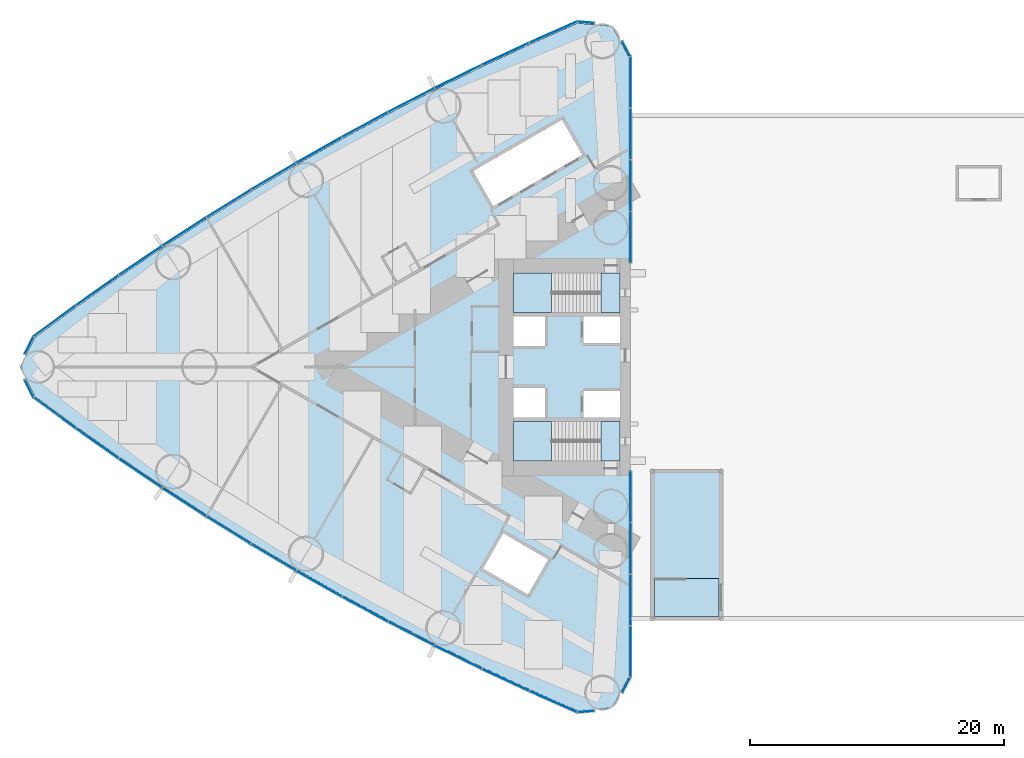
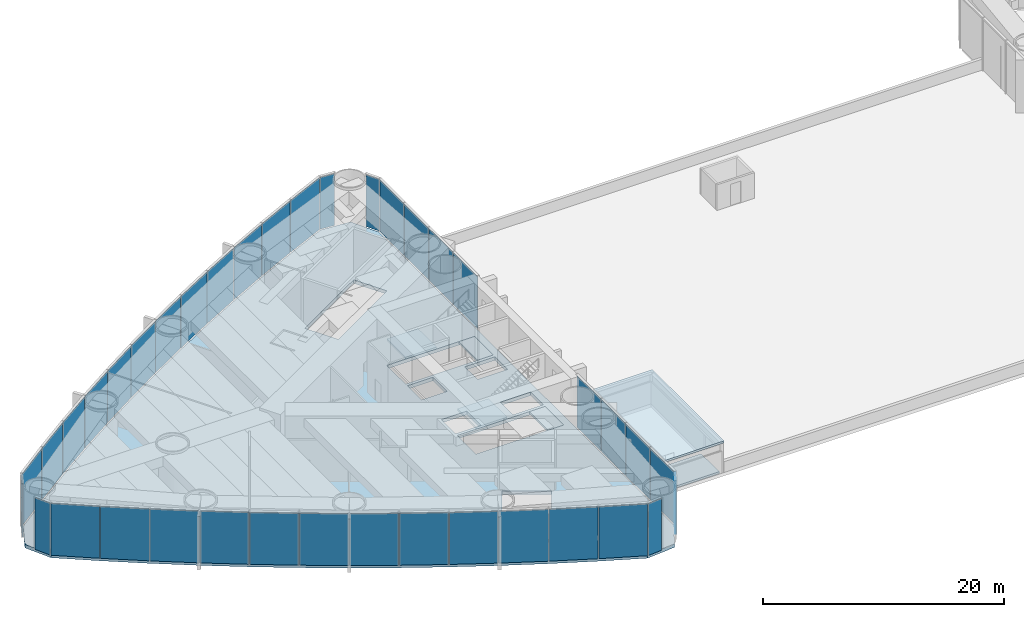
# One storey, part 14 of 23: 38 plates, 7 slabs, 6 elements without a shape of their own.
"""IFC4 building model written with IfcOpenShell, lengths in metres."""

from ifc_helpers import new_model, si_unit, direction, frame, origin, origin_2d, place, context, subcontext, project, spatial, polyline, rectangle, outline, extrude, material, layer, layer_set, type_object, element, aggregate, save


model = new_model("IFC4")

# Units and contexts
model_context = context("Model", 3, precision=1e-05, world=origin(), true_north=direction((0.0, 1.0)))
body_context = subcontext(model_context, "Body", "Model", "MODEL_VIEW")
ifc_project = project(units=[si_unit("LENGTHUNIT", "METRE"), si_unit("AREAUNIT", "SQUARE_METRE"), si_unit("VOLUMEUNIT", "CUBIC_METRE"), si_unit("PLANEANGLEUNIT", "RADIAN"), si_unit("MASSUNIT", "GRAM", prefix="KILO")], contexts=[model_context])

# Site, building, storey
site_placement = place(None, origin())
site = spatial("IfcSite", under=ifc_project, at=site_placement, CompositionType="ELEMENT")
building_placement = place(site_placement, origin())
building = spatial("IfcBuilding", under=site, at=building_placement, Name="Lancet Gate Hotel", CompositionType="ELEMENT")
storey_placement = place(building_placement, frame((0.0, 0.0, 12.60009765625)))
storey = spatial("IfcBuildingStorey", under=building, at=storey_placement, Name="L02", CompositionType="ELEMENT", Elevation=12.60009765625)

# Slabs
ifc_material_1 = material(Name="Concrete C50/60", Category="concrete")
ifc_layer_1 = layer(ifc_material_1, 0.35009765625)
ifc_layer_set_1 = layer_set([ifc_layer_1], Name="Floor slab 350")
slab_type_1 = type_object("IfcSlabType", Name="Floor slab 350", PredefinedType="FLOOR", material=ifc_layer_set_1)
slab_1_placement = place(storey_placement, frame((0.0, 0.0, -0.35009765625)))
element("IfcSlab", 1, at=slab_1_placement, inside=storey, type_object=slab_type_1, Name="T1 L02 floor slab", PredefinedType="FLOOR", context=body_context, shape_type="SweptSolid", body=[
    extrude(outline(polyline([(-27.6201171875, -24.4609375), (-27.6201171875, 24.4609375), (-28.926513671875, 26.8837890625), (-31.668212890625, 27.12353515625), (-35.424072265625, 25.458740234375), (-39.173583984375, 23.70849609375), (-42.887939453125, 21.884765625), (-46.56591796875, 19.98876953125), (-50.2060546875, 18.02099609375), (-53.806884765625, 15.982421875), (-57.366943359375, 13.87353515625), (-60.88525390625, 11.695068359375), (-64.360107421875, 9.448486328125), (-67.7900390625, 7.134033203125), (-71.17431640625, 4.752685546875), (-74.488525390625, 2.322021484375), (-75.65087890625, 0.0), (-74.488525390625, -2.322021484375), (-71.17431640625, -4.752685546875), (-67.7900390625, -7.134033203125), (-64.360107421875, -9.448486328125), (-60.88525390625, -11.695068359375), (-57.366943359375, -13.87353515625), (-53.806884765625, -15.982421875), (-50.2060546875, -18.02099609375), (-46.56591796875, -19.98876953125), (-42.887939453125, -21.884765625), (-39.173583984375, -23.70849609375), (-35.424072265625, -25.458740234375), (-31.668212890625, -27.12353515625), (-28.926513671875, -26.8837890625), (-27.6201171875, -24.4609375)]), holes=[polyline([(-36.699951171875, 7.39990234375), (-36.699951171875, 4.300048828125), (-28.300048828125, 4.300048828125), (-28.300048828125, 7.39990234375), (-36.699951171875, 7.39990234375)]), polyline([(-28.300048828125, 4.0), (-31.199951171875, 4.0), (-31.199951171875, 1.89990234375), (-28.300048828125, 1.89990234375), (-28.300048828125, 4.0)]), polyline([(-34.25, 4.0), (-36.699951171875, 4.0), (-36.699951171875, 1.64990234375), (-34.25, 1.64990234375), (-34.25, 4.0)]), polyline([(-36.699951171875, -1.64990234375), (-36.699951171875, -4.0), (-34.25, -4.0), (-34.25, -1.64990234375), (-36.699951171875, -1.64990234375)]), polyline([(-28.300048828125, -1.89990234375), (-31.199951171875, -1.89990234375), (-31.199951171875, -4.0), (-28.300048828125, -4.0), (-28.300048828125, -1.89990234375)]), polyline([(-28.300048828125, -4.300048828125), (-36.699951171875, -4.300048828125), (-36.699951171875, -7.39990234375), (-28.300048828125, -7.39990234375), (-28.300048828125, -4.300048828125)]), polyline([(-31.2900390625, 16.73095703125), (-32.889892578125, 19.501953125), (-39.904052734375, 15.451904296875), (-38.303955078125, 12.680908203125), (-31.2900390625, 16.73095703125)]), polyline([(-33.97412109375, -15.180908203125), (-37.52490234375, -13.131103515625), (-39.125, -15.902099609375), (-35.573974609375, -17.951904296875), (-33.97412109375, -15.180908203125)])]), origin(), (0.0, 0.0, 1.0), 0.35009765625),
])
ifc_material_2 = material(Name="Concrete C40/50", Category="concrete")
ifc_layer_2 = layer(ifc_material_2, 0.199951171875)
ifc_layer_set_2 = layer_set([ifc_layer_2], Name="Podium stair head-house roof 200")
slab_type_2 = type_object("IfcSlabType", Name="Podium stair head-house roof 200", PredefinedType="ROOF", material=ifc_layer_set_2)
slab_2_placement = place(storey_placement, frame((0.0, 0.0, 3.0)))
element("IfcSlab", 2, at=slab_2_placement, inside=storey, type_object=slab_type_2, Name="Podium stair PS6 head-house roof", PredefinedType="ROOF", context=body_context, shape_type="SweptSolid", body=[
    extrude(outline(polyline([(-25.89990234375, -20.0), (-20.199951171875, -20.0), (-20.199951171875, -8.080078125), (-25.89990234375, -8.080078125), (-25.89990234375, -20.0)])), origin(), (0.0, 0.0, 1.0), 0.199951171875),
])

# Curtain wall, plates
ifc_material_3 = material(Name="Aluminium curtain wall", Category="aluminium")
curtain_wall_type = type_object("IfcCurtainWallType", Name="Podium curtain wall", PredefinedType="USERDEFINED", material=ifc_material_3)
curtain_wall_1_placement = place(storey_placement, origin())
curtain_wall_1 = element("IfcCurtainWall", 3, at=curtain_wall_1_placement, inside=storey, type_object=curtain_wall_type, Name="T1 L02 curtain wall 1", ObjectType="UNITISED CURTAIN WALL", PredefinedType="USERDEFINED")
ifc_material_4 = material(Name="Glass double glazed unit 10-16-10", Category="glass")
ifc_layer_3 = layer(ifc_material_4, 0.035888671875)
ifc_layer_set_3 = layer_set([ifc_layer_3], Name="Podium vision panel")
plate_type = type_object("IfcPlateType", Name="Podium vision panel", PredefinedType="CURTAIN_PANEL", material=ifc_layer_set_3)
plate_1_placement = place(storey_placement, frame((-27.5, 10.236328125, 0.0), z_axis=(0.0, 0.0, 1.0), x_axis=(0.0, 1.0, 0.0)))
plate_1 = element("IfcPlate", 4, at=plate_1_placement, type_object=plate_type, Name="T1 L02 curtain wall 1 panel 1", PredefinedType="CURTAIN_PANEL", context=body_context, shape_type="SweptSolid", body=[
    extrude(rectangle(XDim=4.0078125, YDim=0.035888671875, at=origin_2d()), origin(), (0.0, 0.0, 1.0), 5.25),
])
plate_2_placement = place(storey_placement, frame((-27.5, 14.30908203125, 0.0), z_axis=(0.0, 0.0, 1.0), x_axis=(0.0, 1.0, 0.0)))
plate_2 = element("IfcPlate", 5, at=plate_2_placement, type_object=plate_type, Name="T1 L02 curtain wall 1 panel 2", PredefinedType="CURTAIN_PANEL", context=body_context, shape_type="SweptSolid", body=[
    extrude(rectangle(XDim=4.0078125, YDim=0.035888671875, at=origin_2d()), origin(), (0.0, 0.0, 1.0), 5.25),
])
plate_3_placement = place(storey_placement, frame((-27.5, 18.382080078125, 0.0), z_axis=(0.0, 0.0, 1.0), x_axis=(0.0, 1.0, 0.0)))
plate_3 = element("IfcPlate", 6, at=plate_3_placement, type_object=plate_type, Name="T1 L02 curtain wall 1 panel 3", PredefinedType="CURTAIN_PANEL", context=body_context, shape_type="SweptSolid", body=[
    extrude(rectangle(XDim=4.0078125, YDim=0.035888671875, at=origin_2d()), origin(), (0.0, 0.0, 1.0), 5.25),
])
plate_4_placement = place(storey_placement, frame((-27.5, 22.454833984375, 0.0), z_axis=(0.0, 0.0, 1.0), x_axis=(0.0, 1.0, 0.0)))
plate_4 = element("IfcPlate", 7, at=plate_4_placement, type_object=plate_type, Name="T1 L02 curtain wall 1 panel 4", PredefinedType="CURTAIN_PANEL", context=body_context, shape_type="SweptSolid", body=[
    extrude(rectangle(XDim=4.0078125, YDim=0.035888671875, at=origin_2d()), origin(), (0.0, 0.0, 1.0), 5.25),
])
plate_5_placement = place(storey_placement, frame((-27.829345703125, 25.10205078125, 0.0), z_axis=(0.0, 0.0, 1.0), x_axis=(-0.474631040972, 0.880184852714, 0.0)))
plate_5 = element("IfcPlate", 8, at=plate_5_placement, type_object=plate_type, Name="T1 L02 curtain wall 1 panel 5", PredefinedType="CURTAIN_PANEL", context=body_context, shape_type="SweptSolid", body=[
    extrude(rectangle(XDim=1.322998046875, YDim=0.035888671875, at=origin_2d()), origin(), (0.0, 0.0, 1.0), 5.25),
])
aggregate(curtain_wall_1, [plate_1, plate_2, plate_3, plate_4, plate_5])

curtain_wall_2_placement = place(storey_placement, origin())
curtain_wall_2 = element("IfcCurtainWall", 9, at=curtain_wall_2_placement, inside=storey, type_object=curtain_wall_type, Name="T1 L02 curtain wall 2", ObjectType="UNITISED CURTAIN WALL", PredefinedType="USERDEFINED")
plate_6_placement = place(storey_placement, frame((-30.99658203125, 27.185302734375, 0.0), z_axis=(0.0, 0.0, 1.0), x_axis=(-0.99620380374, 0.087051602022, 0.0)))
plate_6 = element("IfcPlate", 10, at=plate_6_placement, type_object=plate_type, Name="T1 L02 curtain wall 2 panel 1", PredefinedType="CURTAIN_PANEL", context=body_context, shape_type="SweptSolid", body=[
    extrude(rectangle(XDim=1.32421875, YDim=0.035888671875, at=origin_2d()), origin(), (0.0, 0.0, 1.0), 5.25),
])
plate_7_placement = place(storey_placement, frame((-33.581298828125, 26.406982421875, 0.0), z_axis=(0.0, 0.0, 1.0), x_axis=(-0.914234183208, -0.405186201954, 0.0)))
plate_7 = element("IfcPlate", 11, at=plate_7_placement, type_object=plate_type, Name="T1 L02 curtain wall 2 panel 2", PredefinedType="CURTAIN_PANEL", context=body_context, shape_type="SweptSolid", body=[
    extrude(rectangle(XDim=4.0751953125, YDim=0.035888671875, at=origin_2d()), origin(), (0.0, 0.0, 1.0), 5.25),
])
plate_8_placement = place(storey_placement, frame((-37.349609375, 24.6923828125, 0.0), z_axis=(0.0, 0.0, 1.0), x_axis=(-0.906117767284, -0.423025521467, 0.0)))
plate_8 = element("IfcPlate", 12, at=plate_8_placement, type_object=plate_type, Name="T1 L02 curtain wall 2 panel 3", PredefinedType="CURTAIN_PANEL", context=body_context, shape_type="SweptSolid", body=[
    extrude(rectangle(XDim=4.0751953125, YDim=0.035888671875, at=origin_2d()), origin(), (0.0, 0.0, 1.0), 5.25),
])
plate_9_placement = place(storey_placement, frame((-41.083740234375, 22.904296875, 0.0), z_axis=(0.0, 0.0, 1.0), x_axis=(-0.897653295642, -0.440702349463, 0.0)))
plate_9 = element("IfcPlate", 13, at=plate_9_placement, type_object=plate_type, Name="T1 L02 curtain wall 2 panel 4", PredefinedType="CURTAIN_PANEL", context=body_context, shape_type="SweptSolid", body=[
    extrude(rectangle(XDim=4.0751953125, YDim=0.035888671875, at=origin_2d()), origin(), (0.0, 0.0, 1.0), 5.25),
])
plate_10_placement = place(storey_placement, frame((-44.781982421875, 21.04345703125, 0.0), z_axis=(0.0, 0.0, 1.0), x_axis=(-0.888844019644, -0.458209895946, 0.0)))
plate_10 = element("IfcPlate", 14, at=plate_10_placement, type_object=plate_type, Name="T1 L02 curtain wall 2 panel 5", PredefinedType="CURTAIN_PANEL", context=body_context, shape_type="SweptSolid", body=[
    extrude(rectangle(XDim=4.0751953125, YDim=0.035888671875, at=origin_2d()), origin(), (0.0, 0.0, 1.0), 5.25),
])
plate_11_placement = place(storey_placement, frame((-48.443115234375, 19.110595703125, 0.0), z_axis=(0.0, 0.0, 1.0), x_axis=(-0.87969332307, -0.475541435993, 0.0)))
plate_11 = element("IfcPlate", 15, at=plate_11_placement, type_object=plate_type, Name="T1 L02 curtain wall 2 panel 6", PredefinedType="CURTAIN_PANEL", context=body_context, shape_type="SweptSolid", body=[
    extrude(rectangle(XDim=4.0751953125, YDim=0.035888671875, at=origin_2d()), origin(), (0.0, 0.0, 1.0), 5.25),
])
plate_12_placement = place(storey_placement, frame((-52.065673828125, 17.106201171875, 0.0), z_axis=(0.0, 0.0, 1.0), x_axis=(-0.870204720871, -0.492690312238, 0.0)))
plate_12 = element("IfcPlate", 16, at=plate_12_placement, type_object=plate_type, Name="T1 L02 curtain wall 2 panel 7", PredefinedType="CURTAIN_PANEL", context=body_context, shape_type="SweptSolid", body=[
    extrude(rectangle(XDim=4.0751953125, YDim=0.035888671875, at=origin_2d()), origin(), (0.0, 0.0, 1.0), 5.25),
])
plate_13_placement = place(storey_placement, frame((-55.648193359375, 15.031005859375, 0.0), z_axis=(0.0, 0.0, 1.0), x_axis=(-0.860381857795, -0.509649937484, 0.0)))
plate_13 = element("IfcPlate", 17, at=plate_13_placement, type_object=plate_type, Name="T1 L02 curtain wall 2 panel 8", PredefinedType="CURTAIN_PANEL", context=body_context, shape_type="SweptSolid", body=[
    extrude(rectangle(XDim=4.0751953125, YDim=0.035888671875, at=origin_2d()), origin(), (0.0, 0.0, 1.0), 5.25),
])
plate_14_placement = place(storey_placement, frame((-59.189208984375, 12.88623046875, 0.0), z_axis=(0.0, 0.0, 1.0), x_axis=(-0.850228506958, -0.52641379727, 0.0)))
plate_14 = element("IfcPlate", 18, at=plate_14_placement, type_object=plate_type, Name="T1 L02 curtain wall 2 panel 9", PredefinedType="CURTAIN_PANEL", context=body_context, shape_type="SweptSolid", body=[
    extrude(rectangle(XDim=4.0751953125, YDim=0.035888671875, at=origin_2d()), origin(), (0.0, 0.0, 1.0), 5.25),
])
plate_15_placement = place(storey_placement, frame((-62.687744140625, 10.672607421875, 0.0), z_axis=(0.0, 0.0, 1.0), x_axis=(-0.839748568448, -0.54297545229, 0.0)))
plate_15 = element("IfcPlate", 19, at=plate_15_placement, type_object=plate_type, Name="T1 L02 curtain wall 2 panel 10", PredefinedType="CURTAIN_PANEL", context=body_context, shape_type="SweptSolid", body=[
    extrude(rectangle(XDim=4.0751953125, YDim=0.035888671875, at=origin_2d()), origin(), (0.0, 0.0, 1.0), 5.25),
])
plate_16_placement = place(storey_placement, frame((-66.142333984375, 8.390625, 0.0), z_axis=(0.0, 0.0, 1.0), x_axis=(-0.828946067803, -0.559328540907, 0.0)))
plate_16 = element("IfcPlate", 20, at=plate_16_placement, type_object=plate_type, Name="T1 L02 curtain wall 2 panel 11", PredefinedType="CURTAIN_PANEL", context=body_context, shape_type="SweptSolid", body=[
    extrude(rectangle(XDim=4.0751953125, YDim=0.035888671875, at=origin_2d()), origin(), (0.0, 0.0, 1.0), 5.25),
])
plate_17_placement = place(storey_placement, frame((-69.55126953125, 6.04150390625, 0.0), z_axis=(0.0, 0.0, 1.0), x_axis=(-0.817825154435, -0.575466781642, 0.0)))
plate_17 = element("IfcPlate", 21, at=plate_17_placement, type_object=plate_type, Name="T1 L02 curtain wall 2 panel 12", PredefinedType="CURTAIN_PANEL", context=body_context, shape_type="SweptSolid", body=[
    extrude(rectangle(XDim=4.0751953125, YDim=0.035888671875, at=origin_2d()), origin(), (0.0, 0.0, 1.0), 5.25),
])
plate_18_placement = place(storey_placement, frame((-72.91357421875, 3.6259765625, 0.0), z_axis=(0.0, 0.0, 1.0), x_axis=(-0.80639010009, -0.591383975499, 0.0)))
plate_18 = element("IfcPlate", 22, at=plate_18_placement, type_object=plate_type, Name="T1 L02 curtain wall 2 panel 13", PredefinedType="CURTAIN_PANEL", context=body_context, shape_type="SweptSolid", body=[
    extrude(rectangle(XDim=4.0751953125, YDim=0.035888671875, at=origin_2d()), origin(), (0.0, 0.0, 1.0), 5.25),
])
plate_19_placement = place(storey_placement, frame((-74.93505859375, 1.6982421875, 0.0), z_axis=(0.0, 0.0, 1.0), x_axis=(-0.447628324726, -0.89421970617, 0.0)))
plate_19 = element("IfcPlate", 23, at=plate_19_placement, type_object=plate_type, Name="T1 L02 curtain wall 2 panel 14", PredefinedType="CURTAIN_PANEL", context=body_context, shape_type="SweptSolid", body=[
    extrude(rectangle(XDim=1.50830078125, YDim=0.035888671875, at=origin_2d()), origin(), (0.0, 0.0, 1.0), 5.25),
])
aggregate(curtain_wall_2, [plate_6, plate_7, plate_8, plate_9, plate_10, plate_11, plate_12, plate_13, plate_14, plate_15, plate_16, plate_17, plate_18, plate_19])

curtain_wall_3_placement = place(storey_placement, origin())
curtain_wall_3 = element("IfcCurtainWall", 24, at=curtain_wall_3_placement, inside=storey, type_object=curtain_wall_type, Name="T1 L02 curtain wall 3", ObjectType="UNITISED CURTAIN WALL", PredefinedType="USERDEFINED")
plate_20_placement = place(storey_placement, frame((-74.93505859375, -1.6982421875, 0.0), z_axis=(0.0, 0.0, 1.0), x_axis=(0.447628324726, -0.89421970617, 0.0)))
plate_20 = element("IfcPlate", 25, at=plate_20_placement, type_object=plate_type, Name="T1 L02 curtain wall 3 panel 1", PredefinedType="CURTAIN_PANEL", context=body_context, shape_type="SweptSolid", body=[
    extrude(rectangle(XDim=1.50830078125, YDim=0.035888671875, at=origin_2d()), origin(), (0.0, 0.0, 1.0), 5.25),
])
plate_21_placement = place(storey_placement, frame((-72.91357421875, -3.6259765625, 0.0), z_axis=(0.0, 0.0, 1.0), x_axis=(0.80639010009, -0.591383975499, 0.0)))
plate_21 = element("IfcPlate", 26, at=plate_21_placement, type_object=plate_type, Name="T1 L02 curtain wall 3 panel 2", PredefinedType="CURTAIN_PANEL", context=body_context, shape_type="SweptSolid", body=[
    extrude(rectangle(XDim=4.0751953125, YDim=0.035888671875, at=origin_2d()), origin(), (0.0, 0.0, 1.0), 5.25),
])
plate_22_placement = place(storey_placement, frame((-69.55126953125, -6.04150390625, 0.0), z_axis=(0.0, 0.0, 1.0), x_axis=(0.817825154435, -0.575466781642, 0.0)))
plate_22 = element("IfcPlate", 27, at=plate_22_placement, type_object=plate_type, Name="T1 L02 curtain wall 3 panel 3", PredefinedType="CURTAIN_PANEL", context=body_context, shape_type="SweptSolid", body=[
    extrude(rectangle(XDim=4.0751953125, YDim=0.035888671875, at=origin_2d()), origin(), (0.0, 0.0, 1.0), 5.25),
])
plate_23_placement = place(storey_placement, frame((-66.142333984375, -8.390625, 0.0), z_axis=(0.0, 0.0, 1.0), x_axis=(0.828946067803, -0.559328540907, 0.0)))
plate_23 = element("IfcPlate", 28, at=plate_23_placement, type_object=plate_type, Name="T1 L02 curtain wall 3 panel 4", PredefinedType="CURTAIN_PANEL", context=body_context, shape_type="SweptSolid", body=[
    extrude(rectangle(XDim=4.0751953125, YDim=0.035888671875, at=origin_2d()), origin(), (0.0, 0.0, 1.0), 5.25),
])
plate_24_placement = place(storey_placement, frame((-62.687744140625, -10.672607421875, 0.0), z_axis=(0.0, 0.0, 1.0), x_axis=(0.839748568448, -0.54297545229, 0.0)))
plate_24 = element("IfcPlate", 29, at=plate_24_placement, type_object=plate_type, Name="T1 L02 curtain wall 3 panel 5", PredefinedType="CURTAIN_PANEL", context=body_context, shape_type="SweptSolid", body=[
    extrude(rectangle(XDim=4.0751953125, YDim=0.035888671875, at=origin_2d()), origin(), (0.0, 0.0, 1.0), 5.25),
])
plate_25_placement = place(storey_placement, frame((-59.189208984375, -12.88623046875, 0.0), z_axis=(0.0, 0.0, 1.0), x_axis=(0.850228506958, -0.52641379727, 0.0)))
plate_25 = element("IfcPlate", 30, at=plate_25_placement, type_object=plate_type, Name="T1 L02 curtain wall 3 panel 6", PredefinedType="CURTAIN_PANEL", context=body_context, shape_type="SweptSolid", body=[
    extrude(rectangle(XDim=4.0751953125, YDim=0.035888671875, at=origin_2d()), origin(), (0.0, 0.0, 1.0), 5.25),
])
plate_26_placement = place(storey_placement, frame((-55.648193359375, -15.031005859375, 0.0), z_axis=(0.0, 0.0, 1.0), x_axis=(0.860381857795, -0.509649937484, 0.0)))
plate_26 = element("IfcPlate", 31, at=plate_26_placement, type_object=plate_type, Name="T1 L02 curtain wall 3 panel 7", PredefinedType="CURTAIN_PANEL", context=body_context, shape_type="SweptSolid", body=[
    extrude(rectangle(XDim=4.0751953125, YDim=0.035888671875, at=origin_2d()), origin(), (0.0, 0.0, 1.0), 5.25),
])
plate_27_placement = place(storey_placement, frame((-52.065673828125, -17.106201171875, 0.0), z_axis=(0.0, 0.0, 1.0), x_axis=(0.870204720871, -0.492690312238, 0.0)))
plate_27 = element("IfcPlate", 32, at=plate_27_placement, type_object=plate_type, Name="T1 L02 curtain wall 3 panel 8", PredefinedType="CURTAIN_PANEL", context=body_context, shape_type="SweptSolid", body=[
    extrude(rectangle(XDim=4.0751953125, YDim=0.035888671875, at=origin_2d()), origin(), (0.0, 0.0, 1.0), 5.25),
])
plate_28_placement = place(storey_placement, frame((-48.443115234375, -19.110595703125, 0.0), z_axis=(0.0, 0.0, 1.0), x_axis=(0.87969332307, -0.475541435993, 0.0)))
plate_28 = element("IfcPlate", 33, at=plate_28_placement, type_object=plate_type, Name="T1 L02 curtain wall 3 panel 9", PredefinedType="CURTAIN_PANEL", context=body_context, shape_type="SweptSolid", body=[
    extrude(rectangle(XDim=4.0751953125, YDim=0.035888671875, at=origin_2d()), origin(), (0.0, 0.0, 1.0), 5.25),
])
plate_29_placement = place(storey_placement, frame((-44.781982421875, -21.04345703125, 0.0), z_axis=(0.0, 0.0, 1.0), x_axis=(0.888844019644, -0.458209895946, 0.0)))
plate_29 = element("IfcPlate", 34, at=plate_29_placement, type_object=plate_type, Name="T1 L02 curtain wall 3 panel 10", PredefinedType="CURTAIN_PANEL", context=body_context, shape_type="SweptSolid", body=[
    extrude(rectangle(XDim=4.0751953125, YDim=0.035888671875, at=origin_2d()), origin(), (0.0, 0.0, 1.0), 5.25),
])
plate_30_placement = place(storey_placement, frame((-41.083740234375, -22.904296875, 0.0), z_axis=(0.0, 0.0, 1.0), x_axis=(0.897653295642, -0.440702349463, 0.0)))
plate_30 = element("IfcPlate", 35, at=plate_30_placement, type_object=plate_type, Name="T1 L02 curtain wall 3 panel 11", PredefinedType="CURTAIN_PANEL", context=body_context, shape_type="SweptSolid", body=[
    extrude(rectangle(XDim=4.0751953125, YDim=0.035888671875, at=origin_2d()), origin(), (0.0, 0.0, 1.0), 5.25),
])
plate_31_placement = place(storey_placement, frame((-37.349609375, -24.6923828125, 0.0), z_axis=(0.0, 0.0, 1.0), x_axis=(0.906117767284, -0.423025521467, 0.0)))
plate_31 = element("IfcPlate", 36, at=plate_31_placement, type_object=plate_type, Name="T1 L02 curtain wall 3 panel 12", PredefinedType="CURTAIN_PANEL", context=body_context, shape_type="SweptSolid", body=[
    extrude(rectangle(XDim=4.0751953125, YDim=0.035888671875, at=origin_2d()), origin(), (0.0, 0.0, 1.0), 5.25),
])
plate_32_placement = place(storey_placement, frame((-33.581298828125, -26.406982421875, 0.0), z_axis=(0.0, 0.0, 1.0), x_axis=(0.914234183208, -0.405186201954, 0.0)))
plate_32 = element("IfcPlate", 37, at=plate_32_placement, type_object=plate_type, Name="T1 L02 curtain wall 3 panel 13", PredefinedType="CURTAIN_PANEL", context=body_context, shape_type="SweptSolid", body=[
    extrude(rectangle(XDim=4.0751953125, YDim=0.035888671875, at=origin_2d()), origin(), (0.0, 0.0, 1.0), 5.25),
])
plate_33_placement = place(storey_placement, frame((-30.99658203125, -27.185302734375, 0.0), z_axis=(0.0, 0.0, 1.0), x_axis=(0.99620380374, 0.087051602022, 0.0)))
plate_33 = element("IfcPlate", 38, at=plate_33_placement, type_object=plate_type, Name="T1 L02 curtain wall 3 panel 14", PredefinedType="CURTAIN_PANEL", context=body_context, shape_type="SweptSolid", body=[
    extrude(rectangle(XDim=1.32421875, YDim=0.035888671875, at=origin_2d()), origin(), (0.0, 0.0, 1.0), 5.25),
])
aggregate(curtain_wall_3, [plate_20, plate_21, plate_22, plate_23, plate_24, plate_25, plate_26, plate_27, plate_28, plate_29, plate_30, plate_31, plate_32, plate_33])

curtain_wall_4_placement = place(storey_placement, origin())
curtain_wall_4 = element("IfcCurtainWall", 39, at=curtain_wall_4_placement, inside=storey, type_object=curtain_wall_type, Name="T1 L02 curtain wall 4", ObjectType="UNITISED CURTAIN WALL", PredefinedType="USERDEFINED")
plate_34_placement = place(storey_placement, frame((-27.829345703125, -25.10205078125, 0.0), z_axis=(0.0, 0.0, 1.0), x_axis=(0.474631040972, 0.880184852714, 0.0)))
plate_34 = element("IfcPlate", 40, at=plate_34_placement, type_object=plate_type, Name="T1 L02 curtain wall 4 panel 1", PredefinedType="CURTAIN_PANEL", context=body_context, shape_type="SweptSolid", body=[
    extrude(rectangle(XDim=1.322998046875, YDim=0.035888671875, at=origin_2d()), origin(), (0.0, 0.0, 1.0), 5.25),
])
plate_35_placement = place(storey_placement, frame((-27.5, -22.454833984375, 0.0), z_axis=(0.0, 0.0, 1.0), x_axis=(0.0, 1.0, 0.0)))
plate_35 = element("IfcPlate", 41, at=plate_35_placement, type_object=plate_type, Name="T1 L02 curtain wall 4 panel 2", PredefinedType="CURTAIN_PANEL", context=body_context, shape_type="SweptSolid", body=[
    extrude(rectangle(XDim=4.0078125, YDim=0.035888671875, at=origin_2d()), origin(), (0.0, 0.0, 1.0), 5.25),
])
plate_36_placement = place(storey_placement, frame((-27.5, -18.382080078125, 0.0), z_axis=(0.0, 0.0, 1.0), x_axis=(0.0, 1.0, 0.0)))
plate_36 = element("IfcPlate", 42, at=plate_36_placement, type_object=plate_type, Name="T1 L02 curtain wall 4 panel 3", PredefinedType="CURTAIN_PANEL", context=body_context, shape_type="SweptSolid", body=[
    extrude(rectangle(XDim=4.0078125, YDim=0.035888671875, at=origin_2d()), origin(), (0.0, 0.0, 1.0), 5.25),
])
plate_37_placement = place(storey_placement, frame((-27.5, -14.30908203125, 0.0), z_axis=(0.0, 0.0, 1.0), x_axis=(0.0, 1.0, 0.0)))
plate_37 = element("IfcPlate", 43, at=plate_37_placement, type_object=plate_type, Name="T1 L02 curtain wall 4 panel 4", PredefinedType="CURTAIN_PANEL", context=body_context, shape_type="SweptSolid", body=[
    extrude(rectangle(XDim=4.0078125, YDim=0.035888671875, at=origin_2d()), origin(), (0.0, 0.0, 1.0), 5.25),
])
plate_38_placement = place(storey_placement, frame((-27.5, -10.236328125, 0.0), z_axis=(0.0, 0.0, 1.0), x_axis=(0.0, 1.0, 0.0)))
plate_38 = element("IfcPlate", 44, at=plate_38_placement, type_object=plate_type, Name="T1 L02 curtain wall 4 panel 5", PredefinedType="CURTAIN_PANEL", context=body_context, shape_type="SweptSolid", body=[
    extrude(rectangle(XDim=4.0078125, YDim=0.035888671875, at=origin_2d()), origin(), (0.0, 0.0, 1.0), 5.25),
])
aggregate(curtain_wall_4, [plate_34, plate_35, plate_36, plate_37, plate_38])

# Stair, slabs
ifc_material_5 = material(Name="Exit stair 30 risers 1500")
stair_type = type_object("IfcStairType", Name="Exit stair 30 risers 1500", PredefinedType="HALF_TURN_STAIR", material=ifc_material_5)
stair_1_placement = place(storey_placement, origin())
stair_1 = element("IfcStair", 45, at=stair_1_placement, inside=storey, type_object=stair_type, Name="T1 stair 1 L02", PredefinedType="HALF_TURN_STAIR")
ifc_material_6 = material(Name="Concrete C40/50", Category="concrete")
ifc_layer_4 = layer(ifc_material_6, 0.199951171875)
ifc_layer_set_4 = layer_set([ifc_layer_4], Name="Stair landing 200")
slab_type_3 = type_object("IfcSlabType", Name="Stair landing 200", PredefinedType="LANDING", material=ifc_layer_set_4)
slab_3_placement = place(storey_placement, frame((0.0, 0.0, -0.2001953125)))
slab_3 = element("IfcSlab", 46, at=slab_3_placement, type_object=slab_type_3, Name="ST1 landing 1", PredefinedType="LANDING", context=body_context, shape_type="SweptSolid", body=[
    extrude(outline(polyline([(-28.300048828125, 7.39990234375), (-29.800048828125, 7.39990234375), (-29.800048828125, 4.300048828125), (-28.300048828125, 4.300048828125), (-28.300048828125, 7.39990234375)])), origin(), (0.0, 0.0, 1.0), 0.2001953125),
])
slab_4_placement = place(storey_placement, frame((0.0, 0.0, 2.5)))
slab_4 = element("IfcSlab", 47, at=slab_4_placement, type_object=slab_type_3, Name="ST1 landing 2", PredefinedType="LANDING", context=body_context, shape_type="SweptSolid", body=[
    extrude(outline(polyline([(-33.719970703125, 7.39990234375), (-36.699951171875, 7.39990234375), (-36.699951171875, 4.300048828125), (-33.719970703125, 4.300048828125), (-33.719970703125, 7.39990234375)])), origin(), (0.0, 0.0, 1.0), 0.199951171875),
])
aggregate(stair_1, [slab_3, slab_4])

stair_2_placement = place(storey_placement, origin())
stair_2 = element("IfcStair", 48, at=stair_2_placement, inside=storey, type_object=stair_type, Name="T1 stair 2 L02", PredefinedType="HALF_TURN_STAIR")
slab_5_placement = place(storey_placement, frame((0.0, 0.0, -0.2001953125)))
slab_5 = element("IfcSlab", 49, at=slab_5_placement, type_object=slab_type_3, Name="ST2 landing 1", PredefinedType="LANDING", context=body_context, shape_type="SweptSolid", body=[
    extrude(outline(polyline([(-28.300048828125, -4.300048828125), (-29.800048828125, -4.300048828125), (-29.800048828125, -7.39990234375), (-28.300048828125, -7.39990234375), (-28.300048828125, -4.300048828125)])), origin(), (0.0, 0.0, 1.0), 0.2001953125),
])
slab_6_placement = place(storey_placement, frame((0.0, 0.0, 2.5)))
slab_6 = element("IfcSlab", 50, at=slab_6_placement, type_object=slab_type_3, Name="ST2 landing 2", PredefinedType="LANDING", context=body_context, shape_type="SweptSolid", body=[
    extrude(outline(polyline([(-33.719970703125, -4.300048828125), (-36.699951171875, -4.300048828125), (-36.699951171875, -7.39990234375), (-33.719970703125, -7.39990234375), (-33.719970703125, -4.300048828125)])), origin(), (0.0, 0.0, 1.0), 0.199951171875),
])
aggregate(stair_2, [slab_5, slab_6])

# Slab
slab_7_placement = place(storey_placement, frame((0.0, 0.0, -0.2001953125)))
element("IfcSlab", 51, at=slab_7_placement, inside=storey, type_object=slab_type_3, Name="PS6 top landing L02", PredefinedType="LANDING", context=body_context, shape_type="SweptSolid", body=[
    extrude(outline(polyline([(-25.60009765625, -19.699951171875), (-20.5, -19.699951171875), (-20.5, -16.699951171875), (-25.60009765625, -16.699951171875), (-25.60009765625, -19.699951171875)])), origin(), (0.0, 0.0, 1.0), 0.2001953125),
])

save(model, "model.ifc")
